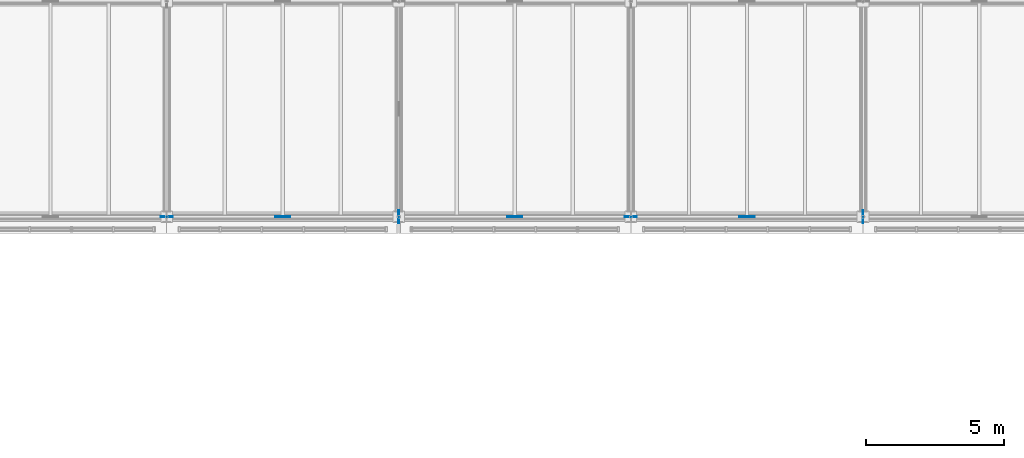
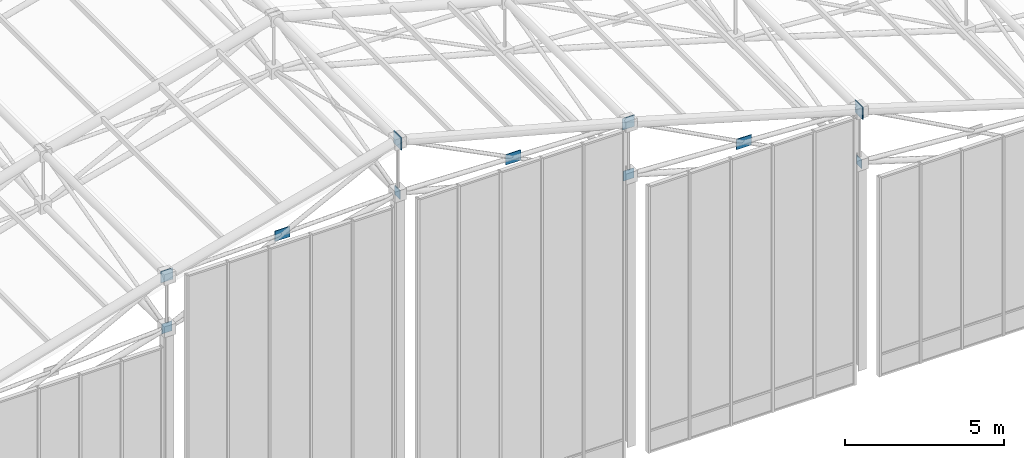
# One storey, part 114 of 144: 11 plates.
"""IFC4 building model written with IfcOpenShell, lengths in metres."""

from ifc_helpers import new_model, si_unit, direction, frame, origin, origin_2d, place, context, subcontext, project, spatial, rectangle, extrude, material, layer, layer_set, type_object, element, save


model = new_model("IFC4")

# Units and contexts
model_context = context("Model", 3, precision=1e-05, world=origin(), true_north=direction((0.0, 1.0)))
body_context = subcontext(model_context, "Body", "Model", "MODEL_VIEW")
ifc_project = project(units=[si_unit("LENGTHUNIT", "METRE"), si_unit("AREAUNIT", "SQUARE_METRE"), si_unit("VOLUMEUNIT", "CUBIC_METRE"), si_unit("PLANEANGLEUNIT", "RADIAN"), si_unit("MASSUNIT", "GRAM", prefix="KILO")], contexts=[model_context])

# Site, building, storey
site_placement = place(None, origin())
site = spatial("IfcSite", under=ifc_project, at=site_placement, CompositionType="ELEMENT")
building_placement = place(site_placement, origin())
building = spatial("IfcBuilding", under=site, at=building_placement, Name="Zayran Congress Hotel", CompositionType="ELEMENT")
storey_placement = place(building_placement, frame((0.0, 0.0, 19.199951171875)))
storey = spatial("IfcBuildingStorey", under=building, at=storey_placement, Name="L04", CompositionType="ELEMENT", Elevation=19.199951171875)

# Plates
ifc_material = material(Name="Steel S355", Category="steel")
ifc_layer_1 = layer(ifc_material, 0.02490234375)
ifc_layer_set_1 = layer_set([ifc_layer_1], Name="Steel S355")
plate_type_1 = type_object("IfcPlateType", Name="TP-SN-CP1", PredefinedType="USERDEFINED", material=ifc_layer_set_1)
for number, where, z_axis, x_axis, name in (
    (1, (42.0, 68.199951171875, 12.132080078125), (0.0, 0.0, 1.0), (1.0, 0.0, 0.0), "Space Frame Node Cap Plate 29"),
    (2, (58.800048828125, 68.199951171875, 12.132080078125), (0.0, 0.0, 1.0), (1.0, 0.0, 0.0), "Space Frame Node Cap Plate 43"),
):
    element("IfcPlate", number, at=place(storey_placement, frame(where, z_axis=z_axis, x_axis=x_axis)), inside=storey, type_object=plate_type_1, Name=name, ObjectType="GUSSET_PLATE", PredefinedType="USERDEFINED", context=body_context, shape_type="SweptSolid", body=[
        extrude(rectangle(XDim=0.43994140625, YDim=0.02490234375, at=origin_2d()), origin(), (0.0, 0.0, 1.0), 0.43994140625),
    ])
ifc_layer_2 = layer(ifc_material, 0.02490234375)
ifc_layer_set_2 = layer_set([ifc_layer_2], Name="Steel S355")
plate_type_2 = type_object("IfcPlateType", Name="TP-SN-CP2", PredefinedType="USERDEFINED", material=ifc_layer_set_2)
for number, where, z_axis, x_axis, name in (
    (3, (42.0, 68.199951171875, 10.16015625), (0.0, 0.0, 1.0), (1.0, 0.0, 0.0), "Space Frame Node Cap Plate 106"),
    (4, (58.800048828125, 68.199951171875, 10.16015625), (0.0, 0.0, 1.0), (1.0, 0.0, 0.0), "Space Frame Node Cap Plate 120"),
):
    element("IfcPlate", number, at=place(storey_placement, frame(where, z_axis=z_axis, x_axis=x_axis)), inside=storey, type_object=plate_type_2, Name=name, ObjectType="GUSSET_PLATE", PredefinedType="USERDEFINED", context=body_context, shape_type="SweptSolid", body=[
        extrude(rectangle(XDim=0.3798828125, YDim=0.02490234375, at=origin_2d()), origin(), (0.0, 0.0, 1.0), 0.3798828125),
    ])
ifc_layer_3 = layer(ifc_material, 0.02001953125)
ifc_layer_set_3 = layer_set([ifc_layer_3], Name="Steel S355")
plate_type_3 = type_object("IfcPlateType", Name="TP-SN-CP3", PredefinedType="USERDEFINED", material=ifc_layer_set_3)
for number, where, z_axis, x_axis, name in (
    (5, (50.39990234375, 68.199951171875, 12.43017578125), (0.0, 0.0, 1.0), (0.0, 1.0, 0.0), "Space Frame Node Cap Plate 113"),
    (6, (67.199951171875, 68.199951171875, 7.72998046875), (0.0, 0.0, 1.0), (0.0, 1.0, 0.0), "Space Frame Node Cap Plate 127"),
):
    element("IfcPlate", number, at=place(storey_placement, frame(where, z_axis=z_axis, x_axis=x_axis)), inside=storey, type_object=plate_type_3, Name=name, ObjectType="GUSSET_PLATE", PredefinedType="USERDEFINED", context=body_context, shape_type="SweptSolid", body=[
        extrude(rectangle(XDim=0.340087890625, YDim=0.02001953125, at=origin_2d()), origin(), (0.0, 0.0, 1.0), 0.340087890625),
    ])
ifc_layer_4 = layer(ifc_material, 0.028076171875)
ifc_layer_set_4 = layer_set([ifc_layer_4], Name="Steel S355")
plate_type_4 = type_object("IfcPlateType", Name="TP-SN-CP4", PredefinedType="USERDEFINED", material=ifc_layer_set_4)
for number, where, z_axis, x_axis, name in (
    (7, (50.39990234375, 68.199951171875, 14.362060546875), (0.0, 0.0, 1.0), (0.0, 1.0, 0.0), "Space Frame Node Cap Plate 36"),
    (8, (67.199951171875, 68.199951171875, 9.662109375), (0.0, 0.0, 1.0), (0.0, 1.0, 0.0), "Space Frame Node Cap Plate 50"),
):
    element("IfcPlate", number, at=place(storey_placement, frame(where, z_axis=z_axis, x_axis=x_axis)), inside=storey, type_object=plate_type_4, Name=name, ObjectType="GUSSET_PLATE", PredefinedType="USERDEFINED", context=body_context, shape_type="SweptSolid", body=[
        extrude(rectangle(XDim=0.47998046875, YDim=0.028076171875, at=origin_2d()), origin(), (0.0, 0.0, 1.0), 0.47998046875),
    ])
ifc_layer_5 = layer(ifc_material, 0.02490234375)
ifc_layer_set_5 = layer_set([ifc_layer_5], Name="Steel S355")
plate_type_5 = type_object("IfcPlateType", Name="TP-GS-01", PredefinedType="USERDEFINED", material=ifc_layer_set_5)
for number, where, z_axis, x_axis, name in (
    (9, (46.199951171875, 68.199951171875, 12.276123046875), (0.0, 0.0, 1.0), (1.0, 0.0, 0.0), "V1 Brace Crossing Gusset Plate 35"),
    (10, (54.60009765625, 68.199951171875, 12.276123046875), (0.0, 0.0, 1.0), (1.0, 0.0, 0.0), "V1 Brace Crossing Gusset Plate 42"),
    (11, (63.0, 68.199951171875, 9.926025390625), (0.0, 0.0, 1.0), (1.0, 0.0, 0.0), "V1 Brace Crossing Gusset Plate 55"),
):
    element("IfcPlate", number, at=place(storey_placement, frame(where, z_axis=z_axis, x_axis=x_axis)), inside=storey, type_object=plate_type_5, Name=name, ObjectType="GUSSET_PLATE", PredefinedType="USERDEFINED", context=body_context, shape_type="SweptSolid", body=[
        extrude(rectangle(XDim=0.550048828125, YDim=0.02490234375, at=origin_2d()), origin(), (0.0, 0.0, 1.0), 0.39990234375),
    ])

save(model, "model.ifc")
